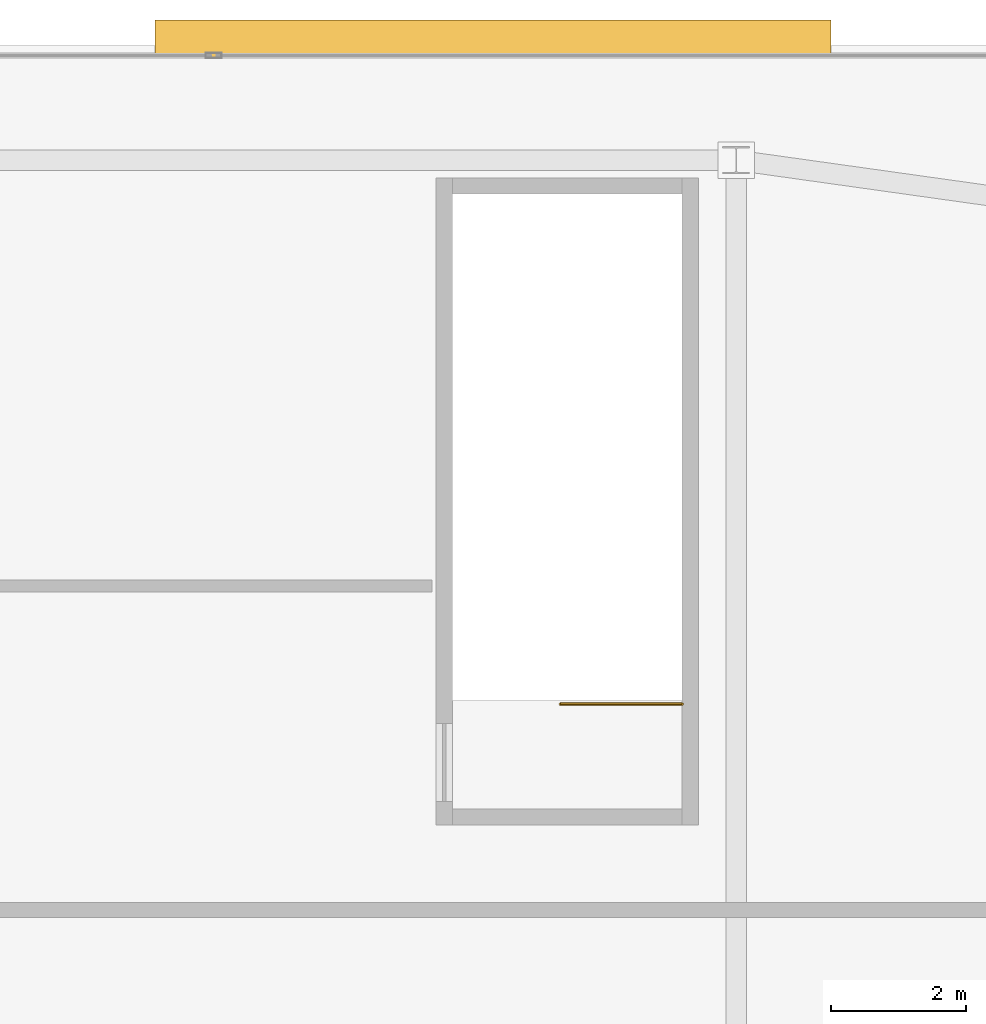
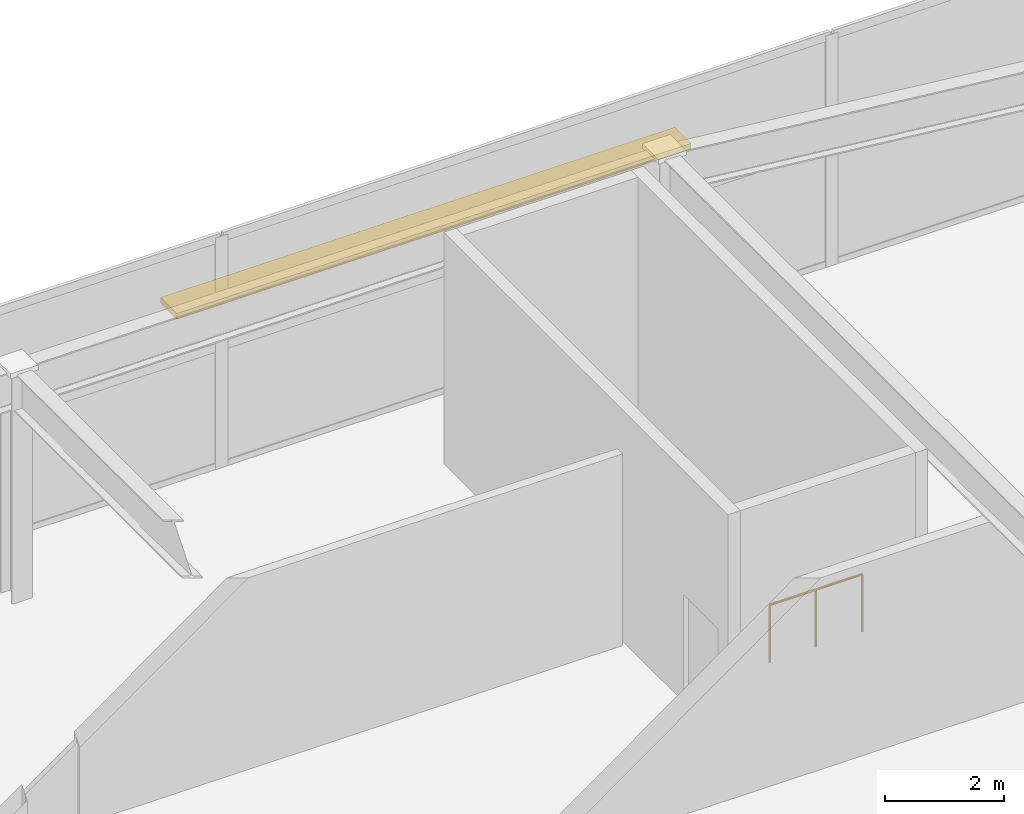
# One storey, part 36 of 36: 1 railing, 1 shading device.
"""IFC4 building model written with IfcOpenShell, lengths in metres."""

from ifc_helpers import new_model, si_unit, direction, frame, origin, origin_2d, place, context, subcontext, project, spatial, rectangle, circle, extrude, material, type_object, element, save


model = new_model("IFC4")

# Units and contexts
model_context = context("Model", 3, precision=1e-05, world=origin(), true_north=direction((0.0, 1.0)))
body_context = subcontext(model_context, "Body", "Model", "MODEL_VIEW")
ifc_project = project(units=[si_unit("LENGTHUNIT", "METRE"), si_unit("AREAUNIT", "SQUARE_METRE"), si_unit("VOLUMEUNIT", "CUBIC_METRE"), si_unit("PLANEANGLEUNIT", "RADIAN"), si_unit("MASSUNIT", "GRAM", prefix="KILO")], contexts=[model_context])

# Site, building, storey
site_placement = place(None, origin())
site = spatial("IfcSite", under=ifc_project, at=site_placement, CompositionType="ELEMENT")
building_placement = place(site_placement, origin())
building = spatial("IfcBuilding", under=site, at=building_placement, Name="Calvorn Quay Hotel", CompositionType="ELEMENT")
storey_placement = place(building_placement, frame((0.0, 0.0, 22.0)))
storey = spatial("IfcBuildingStorey", under=building, at=storey_placement, Name="L04", CompositionType="ELEMENT", Elevation=22.0)

# Railing
ifc_material_1 = material(Name="Painted Galvanised Steel Balustrade", Category="steel")
railing_type = type_object("IfcRailingType", Name="RLG-STAIR-GUARD-1120", PredefinedType="GUARDRAIL", material=ifc_material_1)
railing_placement = place(storey_placement, frame((56.800048828125, 45.75, 0.0)))
element("IfcRailing", 1, at=railing_placement, inside=storey, type_object=railing_type, Name="L04 ST-P1 top well guard 1", PredefinedType="GUARDRAIL", context=body_context, shape_type="SweptSolid", body=[
    extrude(circle(Radius=0.02392578125, at=origin_2d()), frame((0.0, 0.0, 1.17578125), z_axis=(-1.0, 0.0, 0.0), x_axis=(0.0, -1.0, 0.0)), (0.0, 0.0, 1.0), 1.800048828125),
    extrude(circle(Radius=0.02099609375, at=origin_2d()), origin(), (0.0, 0.0, 1.0), 1.15185546875),
    extrude(circle(Radius=0.02099609375, at=origin_2d()), frame((-0.89990234375, 0.0, 0.0)), (0.0, 0.0, 1.0), 1.15185546875),
    extrude(circle(Radius=0.02099609375, at=origin_2d()), frame((-1.800048828125, 0.0, 0.0)), (0.0, 0.0, 1.0), 1.15185546875),
])

# Shading device
ifc_material_2 = material(Name="Pale Anodised Aluminium 6063-T6", Category="aluminium")
shading_device_type = type_object("IfcShadingDeviceType", Name="SHD-SUNSHADE-POD", PredefinedType="USERDEFINED", material=ifc_material_2)
shading_device_placement = place(storey_placement, frame((54.0, 55.60009765625, 3.33984375), z_axis=(0.0, 0.0, 1.0), x_axis=(1.0, 0.0, 0.0)))
element("IfcShadingDevice", 2, at=shading_device_placement, inside=storey, type_object=shading_device_type, Name="Podium Wellness Sunshade", ObjectType="SUNSHADE", PredefinedType="USERDEFINED", context=body_context, shape_type="SweptSolid", body=[
    extrude(rectangle(XDim=10.0, YDim=0.550048828125, at=origin_2d()), origin(), (0.0, 0.0, 1.0), 0.1201171875),
])

save(model, "model.ifc")
